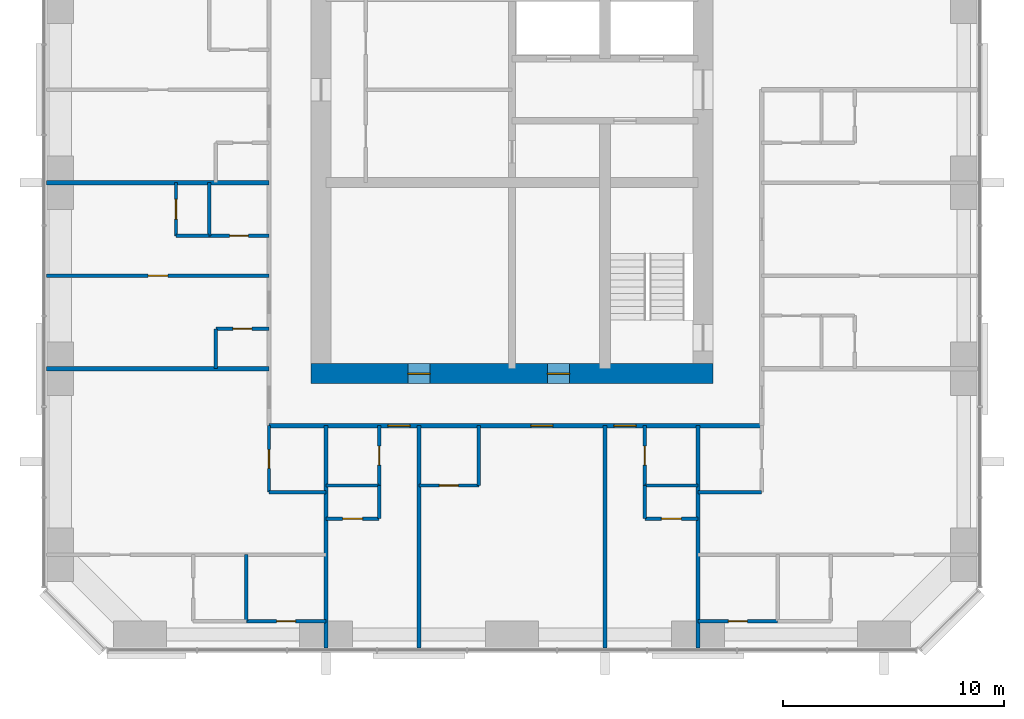
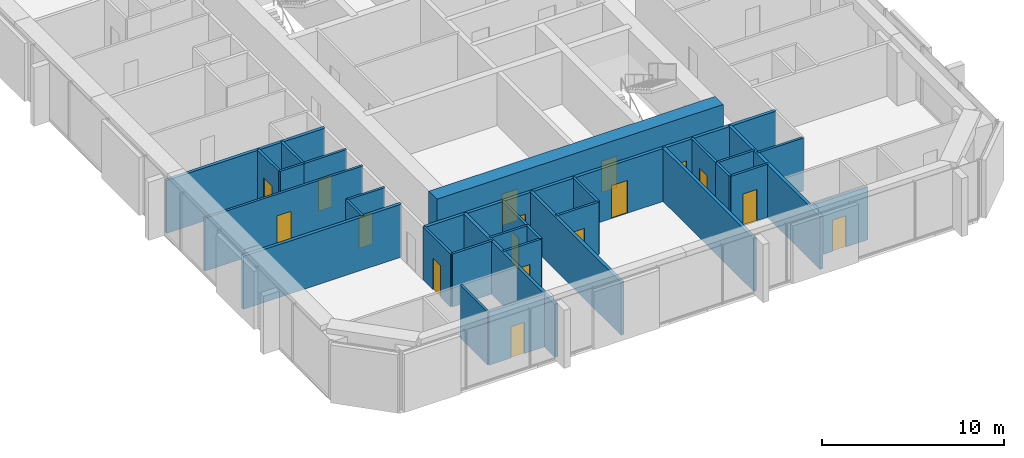
# One storey, part 7 of 12: 31 walls, 17 doors, 17 openings.
"""IFC4 building model written with IfcOpenShell, lengths in metres."""

from ifc_helpers import new_model, si_unit, direction, frame, frame_2d, origin, place, context, subcontext, project, spatial, rectangle, extrude, material, layer, layer_set, type_object, element, fill, save


model = new_model("IFC4")

# Units and contexts
model_context = context("Model", 3, precision=1e-05, world=origin(), true_north=direction((0.0, 1.0)))
body_context = subcontext(model_context, "Body", "Model", "MODEL_VIEW")
ifc_project = project(units=[si_unit("LENGTHUNIT", "METRE"), si_unit("AREAUNIT", "SQUARE_METRE"), si_unit("VOLUMEUNIT", "CUBIC_METRE"), si_unit("PLANEANGLEUNIT", "RADIAN"), si_unit("MASSUNIT", "GRAM", prefix="KILO")], contexts=[model_context])

# Site, building, storey
site_placement = place(None, origin())
site = spatial("IfcSite", under=ifc_project, at=site_placement, CompositionType="ELEMENT")
building_placement = place(site_placement, origin())
building = spatial("IfcBuilding", under=site, at=building_placement, Name="Dunama Terrace Hotel", CompositionType="ELEMENT")
storey_placement = place(building_placement, frame((0.0, 0.0, 233.39990234375)))
storey = spatial("IfcBuildingStorey", under=building, at=storey_placement, Name="L60", CompositionType="ELEMENT", Elevation=233.39990234375)

# Wall
ifc_material_1 = material(Name="Gypsum board partition", Category="masonry")
ifc_layer_1 = layer(ifc_material_1, 0.14990234375)
ifc_layer_set_1 = layer_set([ifc_layer_1], Name="Bathroom partition 150")
wall_type_1 = type_object("IfcWallType", Name="Bathroom partition 150", PredefinedType="PARTITIONING", material=ifc_layer_set_1)
wall_1_placement = place(storey_placement, frame((20.22509765625, 16.800048828125, 0.0), z_axis=(0.0, 0.0, 1.0), x_axis=(0.0, 1.0, 0.0)))
element("IfcWall", 1, at=wall_1_placement, inside=storey, type_object=wall_type_1, Name="Bathroom partition 150 L60", PredefinedType="PARTITIONING", context=body_context, shape_type="SweptSolid", body=[
    extrude(rectangle(XDim=1.800048828125, YDim=0.14990234375, at=frame_2d((0.89990234375, 0.0))), origin(), (0.0, 0.0, 1.0), 3.550048828125),
])

# Wall, opening, door
wall_2_placement = place(storey_placement, frame((22.625, 11.22509765625, 0.0), z_axis=(0.0, 0.0, 1.0), x_axis=(0.0, 1.0, 0.0)))
wall_2 = element("IfcWall", 2, at=wall_2_placement, inside=storey, type_object=wall_type_1, Name="Bathroom partition 150 L60", PredefinedType="PARTITIONING", context=body_context, shape_type="SweptSolid", body=[
    extrude(rectangle(XDim=3.0, YDim=0.14990234375, at=frame_2d((1.5, 0.0))), origin(), (0.0, 0.0, 1.0), 3.550048828125),
])
opening_1_placement = place(wall_2_placement, frame((1.074951171875, 0.0, 0.0)))
opening_1 = element("IfcOpeningElement", 3, at=opening_1_placement, cuts=wall_2, Name="Opening L60-047", PredefinedType="OPENING", context=body_context, shape_type="SweptSolid", body=[
    extrude(rectangle(XDim=0.85009765625, YDim=2.10009765625, at=frame_2d((0.425048828125, 1.050048828125))), frame((0.0, 0.0849609375, 0.0), z_axis=(0.0, -1.0, 0.0), x_axis=(1.0, 0.0, 0.0)), (0.0, 0.0, 1.0), 0.169921875),
])
ifc_material_2 = material(Name="Timber door with steel frame", Category="steel")
door_type_1 = type_object("IfcDoorType", Name="Bathroom door 850", OperationType="SINGLE_SWING_LEFT", PredefinedType="DOOR", material=ifc_material_2)
door_1_placement = place(opening_1_placement, frame((0.85009765625, 0.0, 0.0), z_axis=(0.0, 0.0, 1.0), x_axis=(-1.0, 0.0, 0.0)))
door_1 = element("IfcDoor", 4, at=door_1_placement, inside=storey, type_object=door_type_1, Name="Door to powder room L60-047, type D2", OperationType="SINGLE_SWING_LEFT", OverallHeight=2.10009765625, OverallWidth=0.85009765625, PredefinedType="DOOR", context=body_context, shape_type="SweptSolid", body=[
    extrude(rectangle(XDim=0.85009765625, YDim=2.10009765625, at=frame_2d((0.425048828125, 1.050048828125))), frame((0.0, 0.025146484375, 0.0), z_axis=(0.0, -1.0, 0.0), x_axis=(1.0, 0.0, 0.0)), (0.0, 0.0, 1.0), 0.050048828125),
])
fill(opening_1, door_1)

wall_3_placement = place(storey_placement, frame((27.60009765625, 11.52490234375, 0.0), z_axis=(0.0, 0.0, 1.0), x_axis=(0.0, 1.0, 0.0)))
wall_3 = element("IfcWall", 5, at=wall_3_placement, inside=storey, type_object=wall_type_1, Name="Bathroom partition 150 L60", PredefinedType="PARTITIONING", context=body_context, shape_type="SweptSolid", body=[
    extrude(rectangle(XDim=2.7001953125, YDim=0.14990234375, at=frame_2d((1.35009765625, 0.0))), origin(), (0.0, 0.0, 1.0), 3.550048828125),
])
opening_2_placement = place(wall_3_placement, frame((0.925048828125, 0.0, 0.0)))
opening_2 = element("IfcOpeningElement", 6, at=opening_2_placement, cuts=wall_3, Name="Opening L60-008", PredefinedType="OPENING", context=body_context, shape_type="SweptSolid", body=[
    extrude(rectangle(XDim=0.85009765625, YDim=2.10009765625, at=frame_2d((0.425048828125, 1.050048828125))), frame((0.0, 0.0849609375, 0.0), z_axis=(0.0, -1.0, 0.0), x_axis=(1.0, 0.0, 0.0)), (0.0, 0.0, 1.0), 0.169921875),
])
door_2_placement = place(opening_2_placement, origin())
door_2 = element("IfcDoor", 7, at=door_2_placement, inside=storey, type_object=door_type_1, Name="Door to en-suite bathroom L60-008, type D2", OperationType="SINGLE_SWING_RIGHT", OverallHeight=2.10009765625, OverallWidth=0.85009765625, PredefinedType="DOOR", context=body_context, shape_type="SweptSolid", body=[
    extrude(rectangle(XDim=0.85009765625, YDim=2.10009765625, at=frame_2d((0.425048828125, 1.050048828125))), frame((0.0, 0.02490234375, 0.0), z_axis=(0.0, -1.0, 0.0), x_axis=(1.0, 0.0, 0.0)), (0.0, 0.0, 1.0), 0.050048828125),
])
fill(opening_2, door_2)

# Wall
wall_4_placement = place(storey_placement, frame((32.10009765625, 11.52490234375, 0.0), z_axis=(0.0, 0.0, 1.0), x_axis=(0.0, 1.0, 0.0)))
element("IfcWall", 8, at=wall_4_placement, inside=storey, type_object=wall_type_1, Name="Bathroom partition 150 L60", PredefinedType="PARTITIONING", context=body_context, shape_type="SweptSolid", body=[
    extrude(rectangle(XDim=2.7001953125, YDim=0.14990234375, at=frame_2d((1.35009765625, 0.0))), origin(), (0.0, 0.0, 1.0), 3.550048828125),
])

# Wall, opening, door
wall_5_placement = place(storey_placement, frame((39.60009765625, 11.52490234375, 0.0), z_axis=(0.0, 0.0, 1.0), x_axis=(0.0, 1.0, 0.0)))
wall_5 = element("IfcWall", 9, at=wall_5_placement, inside=storey, type_object=wall_type_1, Name="Bathroom partition 150 L60", PredefinedType="PARTITIONING", context=body_context, shape_type="SweptSolid", body=[
    extrude(rectangle(XDim=2.7001953125, YDim=0.14990234375, at=frame_2d((1.35009765625, 0.0))), origin(), (0.0, 0.0, 1.0), 3.550048828125),
])
opening_3_placement = place(wall_5_placement, frame((0.925048828125, 0.0, 0.0)))
opening_3 = element("IfcOpeningElement", 10, at=opening_3_placement, cuts=wall_5, Name="Opening L60-013", PredefinedType="OPENING", context=body_context, shape_type="SweptSolid", body=[
    extrude(rectangle(XDim=0.85009765625, YDim=2.10009765625, at=frame_2d((0.425048828125, 1.050048828125))), frame((0.0, 0.0849609375, 0.0), z_axis=(0.0, -1.0, 0.0), x_axis=(1.0, 0.0, 0.0)), (0.0, 0.0, 1.0), 0.169921875),
])
door_3_placement = place(opening_3_placement, frame((0.85009765625, 0.0, 0.0), z_axis=(0.0, 0.0, 1.0), x_axis=(-1.0, 0.0, 0.0)))
door_3 = element("IfcDoor", 11, at=door_3_placement, inside=storey, type_object=door_type_1, Name="Door to en-suite bathroom L60-013, type D2", OperationType="SINGLE_SWING_LEFT", OverallHeight=2.10009765625, OverallWidth=0.85009765625, PredefinedType="DOOR", context=body_context, shape_type="SweptSolid", body=[
    extrude(rectangle(XDim=0.85009765625, YDim=2.10009765625, at=frame_2d((0.425048828125, 1.050048828125))), frame((0.0, 0.025146484375, 0.0), z_axis=(0.0, -1.0, 0.0), x_axis=(1.0, 0.0, 0.0)), (0.0, 0.0, 1.0), 0.050048828125),
])
fill(opening_3, door_3)

wall_6_placement = place(storey_placement, frame((21.60009765625, 5.39990234375, 0.0), z_axis=(0.0, 0.0, 1.0), x_axis=(1.0, 0.0, 0.0)))
wall_6 = element("IfcWall", 12, at=wall_6_placement, inside=storey, type_object=wall_type_1, Name="Bathroom partition 150 L60", PredefinedType="PARTITIONING", context=body_context, shape_type="SweptSolid", body=[
    extrude(rectangle(XDim=3.599853515625, YDim=0.14990234375, at=frame_2d((1.7998046875, 0.0))), origin(), (0.0, 0.0, 1.0), 3.550048828125),
])
opening_4_placement = place(wall_6_placement, frame((1.375, 0.0, 0.0)))
opening_4 = element("IfcOpeningElement", 13, at=opening_4_placement, cuts=wall_6, Name="Opening L60-049", PredefinedType="OPENING", context=body_context, shape_type="SweptSolid", body=[
    extrude(rectangle(XDim=0.85009765625, YDim=2.10009765625, at=frame_2d((0.425048828125, 1.050048828125))), frame((0.0, 0.0849609375, 0.0), z_axis=(0.0, -1.0, 0.0), x_axis=(1.0, 0.0, 0.0)), (0.0, 0.0, 1.0), 0.169921875),
])
door_4_placement = place(opening_4_placement, origin())
door_4 = element("IfcDoor", 14, at=door_4_placement, inside=storey, type_object=door_type_1, Name="Door to en-suite bathroom L60-049, type D2", OperationType="SINGLE_SWING_RIGHT", OverallHeight=2.10009765625, OverallWidth=0.85009765625, PredefinedType="DOOR", context=body_context, shape_type="SweptSolid", body=[
    extrude(rectangle(XDim=0.85009765625, YDim=2.10009765625, at=frame_2d((0.425048828125, 1.050048828125))), frame((0.0, 0.02490234375, 0.0), z_axis=(0.0, -1.0, 0.0), x_axis=(1.0, 0.0, 0.0)), (0.0, 0.0, 1.0), 0.050048828125),
])
fill(opening_4, door_4)

wall_7_placement = place(storey_placement, frame((42.0, 5.39990234375, 0.0), z_axis=(0.0, 0.0, 1.0), x_axis=(1.0, 0.0, 0.0)))
wall_7 = element("IfcWall", 15, at=wall_7_placement, inside=storey, type_object=wall_type_1, Name="Bathroom partition 150 L60", PredefinedType="PARTITIONING", context=body_context, shape_type="SweptSolid", body=[
    extrude(rectangle(XDim=3.60009765625, YDim=0.14990234375, at=frame_2d((1.800048828125, 0.0))), origin(), (0.0, 0.0, 1.0), 3.550048828125),
])
opening_5_placement = place(wall_7_placement, frame((1.375, 0.0, 0.0)))
opening_5 = element("IfcOpeningElement", 16, at=opening_5_placement, cuts=wall_7, Name="Opening L60-054", PredefinedType="OPENING", context=body_context, shape_type="SweptSolid", body=[
    extrude(rectangle(XDim=0.85009765625, YDim=2.10009765625, at=frame_2d((0.425048828125, 1.050048828125))), frame((0.0, 0.0849609375, 0.0), z_axis=(0.0, -1.0, 0.0), x_axis=(1.0, 0.0, 0.0)), (0.0, 0.0, 1.0), 0.169921875),
])
door_5_placement = place(opening_5_placement, origin())
door_5 = element("IfcDoor", 17, at=door_5_placement, inside=storey, type_object=door_type_1, Name="Door to en-suite bathroom L60-054, type D2", OperationType="SINGLE_SWING_LEFT", OverallHeight=2.10009765625, OverallWidth=0.85009765625, PredefinedType="DOOR", context=body_context, shape_type="SweptSolid", body=[
    extrude(rectangle(XDim=0.85009765625, YDim=2.10009765625, at=frame_2d((0.425048828125, 1.050048828125))), frame((0.0, 0.02490234375, 0.0), z_axis=(0.0, -1.0, 0.0), x_axis=(1.0, 0.0, 0.0)), (0.0, 0.0, 1.0), 0.050048828125),
])
fill(opening_5, door_5)

# Walls
wall_8_placement = place(storey_placement, frame((22.625, 11.22509765625, 0.0), z_axis=(0.0, 0.0, 1.0), x_axis=(1.0, 0.0, 0.0)))
element("IfcWall", 18, at=wall_8_placement, inside=storey, type_object=wall_type_1, Name="Bathroom partition 150 L60", PredefinedType="PARTITIONING", context=body_context, shape_type="SweptSolid", body=[
    extrude(rectangle(XDim=2.574951171875, YDim=0.14990234375, at=frame_2d((1.28759765625, 0.0))), origin(), (0.0, 0.0, 1.0), 3.550048828125),
])
wall_9_placement = place(storey_placement, frame((42.0, 11.22509765625, 0.0), z_axis=(0.0, 0.0, 1.0), x_axis=(1.0, 0.0, 0.0)))
element("IfcWall", 19, at=wall_9_placement, inside=storey, type_object=wall_type_1, Name="Bathroom partition 150 L60", PredefinedType="PARTITIONING", context=body_context, shape_type="SweptSolid", body=[
    extrude(rectangle(XDim=2.875, YDim=0.14990234375, at=frame_2d((1.4375, 0.0))), origin(), (0.0, 0.0, 1.0), 3.550048828125),
])

# Wall, opening, door
wall_10_placement = place(storey_placement, frame((29.39990234375, 11.52490234375, 0.0), z_axis=(0.0, 0.0, 1.0), x_axis=(1.0, 0.0, 0.0)))
wall_10 = element("IfcWall", 20, at=wall_10_placement, inside=storey, type_object=wall_type_1, Name="Bathroom partition 150 L60", PredefinedType="PARTITIONING", context=body_context, shape_type="SweptSolid", body=[
    extrude(rectangle(XDim=2.7001953125, YDim=0.14990234375, at=frame_2d((1.35009765625, 0.0))), origin(), (0.0, 0.0, 1.0), 3.550048828125),
])
opening_6_placement = place(wall_10_placement, frame((0.925048828125, 0.0, 0.0)))
opening_6 = element("IfcOpeningElement", 21, at=opening_6_placement, cuts=wall_10, Name="Opening L60-011", PredefinedType="OPENING", context=body_context, shape_type="SweptSolid", body=[
    extrude(rectangle(XDim=0.85009765625, YDim=2.10009765625, at=frame_2d((0.425048828125, 1.050048828125))), frame((0.0, 0.0849609375, 0.0), z_axis=(0.0, -1.0, 0.0), x_axis=(1.0, 0.0, 0.0)), (0.0, 0.0, 1.0), 0.169921875),
])
door_6_placement = place(opening_6_placement, origin())
door_6 = element("IfcDoor", 22, at=door_6_placement, inside=storey, type_object=door_type_1, Name="Door to en-suite bathroom L60-011, type D2", OperationType="SINGLE_SWING_LEFT", OverallHeight=2.10009765625, OverallWidth=0.85009765625, PredefinedType="DOOR", context=body_context, shape_type="SweptSolid", body=[
    extrude(rectangle(XDim=0.85009765625, YDim=2.10009765625, at=frame_2d((0.425048828125, 1.050048828125))), frame((0.0, 0.02490234375, 0.0), z_axis=(0.0, -1.0, 0.0), x_axis=(1.0, 0.0, 0.0)), (0.0, 0.0, 1.0), 0.050048828125),
])
fill(opening_6, door_6)

wall_11_placement = place(storey_placement, frame((20.22509765625, 18.60009765625, 0.0), z_axis=(0.0, 0.0, 1.0), x_axis=(1.0, 0.0, 0.0)))
wall_11 = element("IfcWall", 23, at=wall_11_placement, inside=storey, type_object=wall_type_1, Name="Bathroom partition 150 L60", PredefinedType="PARTITIONING", context=body_context, shape_type="SweptSolid", body=[
    extrude(rectangle(XDim=2.39990234375, YDim=0.14990234375, at=frame_2d((1.199951171875, 0.0))), origin(), (0.0, 0.0, 1.0), 3.550048828125),
])
opening_7_placement = place(wall_11_placement, frame((0.77490234375, 0.0, 0.0)))
opening_7 = element("IfcOpeningElement", 24, at=opening_7_placement, cuts=wall_11, Name="Opening L60-033", PredefinedType="OPENING", context=body_context, shape_type="SweptSolid", body=[
    extrude(rectangle(XDim=0.85009765625, YDim=2.10009765625, at=frame_2d((0.425048828125, 1.050048828125))), frame((0.0, 0.0849609375, 0.0), z_axis=(0.0, -1.0, 0.0), x_axis=(1.0, 0.0, 0.0)), (0.0, 0.0, 1.0), 0.169921875),
])
door_7_placement = place(opening_7_placement, frame((0.85009765625, 0.0, 0.0), z_axis=(0.0, 0.0, 1.0), x_axis=(-1.0, 0.0, 0.0)))
door_7 = element("IfcDoor", 25, at=door_7_placement, inside=storey, type_object=door_type_1, Name="Door to powder room L60-033, type D2", OperationType="SINGLE_SWING_LEFT", OverallHeight=2.10009765625, OverallWidth=0.85009765625, PredefinedType="DOOR", context=body_context, shape_type="SweptSolid", body=[
    extrude(rectangle(XDim=0.85009765625, YDim=2.10009765625, at=frame_2d((0.425048828125, 1.050048828125))), frame((0.0, 0.025146484375, 0.0), z_axis=(0.0, -1.0, 0.0), x_axis=(1.0, 0.0, 0.0)), (0.0, 0.0, 1.0), 0.050048828125),
])
fill(opening_7, door_7)

wall_12_placement = place(storey_placement, frame((19.925048828125, 22.800048828125, 0.0), z_axis=(0.0, 0.0, 1.0), x_axis=(1.0, 0.0, 0.0)))
wall_12 = element("IfcWall", 26, at=wall_12_placement, inside=storey, type_object=wall_type_1, Name="Bathroom partition 150 L60", PredefinedType="PARTITIONING", context=body_context, shape_type="SweptSolid", body=[
    extrude(rectangle(XDim=2.699951171875, YDim=0.14990234375, at=frame_2d((1.35009765625, 0.0))), origin(), (0.0, 0.0, 1.0), 3.550048828125),
])
opening_8_placement = place(wall_12_placement, frame((0.925048828125, 0.0, 0.0)))
opening_8 = element("IfcOpeningElement", 27, at=opening_8_placement, cuts=wall_12, Name="Opening L60-035", PredefinedType="OPENING", context=body_context, shape_type="SweptSolid", body=[
    extrude(rectangle(XDim=0.85009765625, YDim=2.10009765625, at=frame_2d((0.425048828125, 1.050048828125))), frame((0.0, 0.0849609375, 0.0), z_axis=(0.0, -1.0, 0.0), x_axis=(1.0, 0.0, 0.0)), (0.0, 0.0, 1.0), 0.169921875),
])
door_8_placement = place(opening_8_placement, origin())
door_8 = element("IfcDoor", 28, at=door_8_placement, inside=storey, type_object=door_type_1, Name="Door to en-suite bathroom L60-035, type D2", OperationType="SINGLE_SWING_RIGHT", OverallHeight=2.10009765625, OverallWidth=0.85009765625, PredefinedType="DOOR", context=body_context, shape_type="SweptSolid", body=[
    extrude(rectangle(XDim=0.85009765625, YDim=2.10009765625, at=frame_2d((0.425048828125, 1.050048828125))), frame((0.0, 0.02490234375, 0.0), z_axis=(0.0, -1.0, 0.0), x_axis=(1.0, 0.0, 0.0)), (0.0, 0.0, 1.0), 0.050048828125),
])
fill(opening_8, door_8)

# Wall, openings, doors
ifc_material_3 = material(Name="Concrete C60/75", Category="concrete")
ifc_layer_2 = layer(ifc_material_3, 0.89990234375)
ifc_layer_set_2 = layer_set([ifc_layer_2], Name="Core wall 900")
wall_type_2 = type_object("IfcWallType", Name="Core wall 900", PredefinedType="SHEAR", material=ifc_layer_set_2)
wall_13_placement = place(storey_placement, frame((24.52490234375, 16.574951171875, -0.349853515625), z_axis=(0.0, 0.0, 1.0), x_axis=(1.0, 0.0, 0.0)))
wall_13 = element("IfcWall", 29, at=wall_13_placement, inside=storey, type_object=wall_type_2, Name="Core wall south L60", PredefinedType="SHEAR", context=body_context, shape_type="SweptSolid", body=[
    extrude(rectangle(XDim=18.150146484375, YDim=0.89990234375, at=frame_2d((9.0751953125, 0.0))), origin(), (0.0, 0.0, 1.0), 3.89990234375),
])
opening_9_placement = place(wall_13_placement, frame((4.375, 0.0, 0.35009765625)))
opening_9 = element("IfcOpeningElement", 30, at=opening_9_placement, cuts=wall_13, Name="Opening L60-074", PredefinedType="OPENING", context=body_context, shape_type="SweptSolid", body=[
    extrude(rectangle(XDim=1.0, YDim=2.10009765625, at=frame_2d((0.5, 1.050048828125))), frame((0.0, 0.4599609375, 0.0), z_axis=(0.0, -1.0, 0.0), x_axis=(1.0, 0.0, 0.0)), (0.0, 0.0, 1.0), 0.919921875),
])
opening_10_placement = place(wall_13_placement, frame((10.675048828125, 0.0, 0.35009765625)))
opening_10 = element("IfcOpeningElement", 31, at=opening_10_placement, cuts=wall_13, Name="Opening L60-075", PredefinedType="OPENING", context=body_context, shape_type="SweptSolid", body=[
    extrude(rectangle(XDim=1.0, YDim=2.10009765625, at=frame_2d((0.5, 1.050048828125))), frame((0.0, 0.4599609375, 0.0), z_axis=(0.0, -1.0, 0.0), x_axis=(1.0, 0.0, 0.0)), (0.0, 0.0, 1.0), 0.919921875),
])
ifc_material_4 = material(Name="Timber door with steel frame", Category="steel")
door_type_2 = type_object("IfcDoorType", Name="Service door 1000", OperationType="SINGLE_SWING_LEFT", PredefinedType="DOOR", material=ifc_material_4)
door_9_placement = place(opening_9_placement, origin())
door_9 = element("IfcDoor", 32, at=door_9_placement, inside=storey, type_object=door_type_2, Name="Door to corridor air handling room L60-074, type D7", OperationType="SINGLE_SWING_LEFT", OverallHeight=2.10009765625, OverallWidth=1.0, PredefinedType="DOOR", context=body_context, shape_type="SweptSolid", body=[
    extrude(rectangle(XDim=1.0, YDim=2.10009765625, at=frame_2d((0.5, 1.050048828125))), frame((0.0, 0.02490234375, 0.0), z_axis=(0.0, -1.0, 0.0), x_axis=(1.0, 0.0, 0.0)), (0.0, 0.0, 1.0), 0.050048828125),
])
fill(opening_9, door_9)
door_10_placement = place(opening_10_placement, origin())
door_10 = element("IfcDoor", 33, at=door_10_placement, inside=storey, type_object=door_type_2, Name="Door to water riser room L60-075, type D7", OperationType="SINGLE_SWING_RIGHT", OverallHeight=2.10009765625, OverallWidth=1.0, PredefinedType="DOOR", context=body_context, shape_type="SweptSolid", body=[
    extrude(rectangle(XDim=1.0, YDim=2.10009765625, at=frame_2d((0.5, 1.050048828125))), frame((0.0, 0.02490234375, 0.0), z_axis=(0.0, -1.0, 0.0), x_axis=(1.0, 0.0, 0.0)), (0.0, 0.0, 1.0), 0.050048828125),
])
fill(opening_10, door_10)

ifc_material_5 = material(Name="Concrete blockwork", Category="masonry")
ifc_layer_3 = layer(ifc_material_5, 0.199951171875)
ifc_layer_set_3 = layer_set([ifc_layer_3], Name="Corridor partition 200")
wall_type_3 = type_object("IfcWallType", Name="Corridor partition 200", PredefinedType="PARTITIONING", material=ifc_layer_set_3)
wall_14_placement = place(storey_placement, frame((44.875, 14.22509765625, 0.0), z_axis=(0.0, 0.0, 1.0), x_axis=(-1.0, 0.0, 0.0)))
wall_14 = element("IfcWall", 34, at=wall_14_placement, inside=storey, type_object=wall_type_3, Name="Corridor partition 200 L60", PredefinedType="PARTITIONING", context=body_context, shape_type="SweptSolid", body=[
    extrude(rectangle(XDim=22.25, YDim=0.199951171875, at=frame_2d((11.125, 0.0))), origin(), (0.0, 0.0, 1.0), 3.550048828125),
])
opening_11_placement = place(wall_14_placement, frame((15.875, 0.0, 0.0)))
opening_11 = element("IfcOpeningElement", 35, at=opening_11_placement, cuts=wall_14, Name="Opening L60-007", PredefinedType="OPENING", context=body_context, shape_type="SweptSolid", body=[
    extrude(rectangle(XDim=1.0, YDim=2.199951171875, at=frame_2d((0.5, 1.10009765625))), frame((0.0, 0.10986328125, 0.0), z_axis=(0.0, -1.0, 0.0), x_axis=(1.0, 0.0, 0.0)), (0.0, 0.0, 1.0), 0.219970703125),
])
opening_12_placement = place(wall_14_placement, frame((9.425048828125, 0.0, 0.0)))
opening_12 = element("IfcOpeningElement", 36, at=opening_12_placement, cuts=wall_14, Name="Opening L60-010", PredefinedType="OPENING", context=body_context, shape_type="SweptSolid", body=[
    extrude(rectangle(XDim=1.0, YDim=2.199951171875, at=frame_2d((0.5, 1.10009765625))), frame((0.0, 0.10986328125, 0.0), z_axis=(0.0, -1.0, 0.0), x_axis=(1.0, 0.0, 0.0)), (0.0, 0.0, 1.0), 0.219970703125),
])
opening_13_placement = place(wall_14_placement, frame((5.675048828125, 0.0, 0.0)))
opening_13 = element("IfcOpeningElement", 37, at=opening_13_placement, cuts=wall_14, Name="Opening L60-012", PredefinedType="OPENING", context=body_context, shape_type="SweptSolid", body=[
    extrude(rectangle(XDim=1.0, YDim=2.199951171875, at=frame_2d((0.5, 1.10009765625))), frame((0.0, 0.10986328125, 0.0), z_axis=(0.0, -1.0, 0.0), x_axis=(1.0, 0.0, 0.0)), (0.0, 0.0, 1.0), 0.219970703125),
])
ifc_material_6 = material(Name="Timber door with steel frame", Category="steel")
door_type_3 = type_object("IfcDoorType", Name="Guest room door 1000", OperationType="SINGLE_SWING_LEFT", PredefinedType="DOOR", material=ifc_material_6)
door_11_placement = place(opening_11_placement, origin())
door_11 = element("IfcDoor", 38, at=door_11_placement, inside=storey, type_object=door_type_3, Name="Door to studio suite L60-007, type D1", OperationType="SINGLE_SWING_LEFT", OverallHeight=2.199951171875, OverallWidth=1.0, PredefinedType="DOOR", context=body_context, shape_type="SweptSolid", body=[
    extrude(rectangle(XDim=1.0, YDim=2.199951171875, at=frame_2d((0.5, 1.10009765625))), frame((0.0, 0.02490234375, 0.0), z_axis=(0.0, -1.0, 0.0), x_axis=(1.0, 0.0, 0.0)), (0.0, 0.0, 1.0), 0.050048828125),
])
fill(opening_11, door_11)
door_12_placement = place(opening_12_placement, origin())
door_12 = element("IfcDoor", 39, at=door_12_placement, inside=storey, type_object=door_type_3, Name="Door to junior suite L60-010, type D1", OperationType="SINGLE_SWING_LEFT", OverallHeight=2.199951171875, OverallWidth=1.0, PredefinedType="DOOR", context=body_context, shape_type="SweptSolid", body=[
    extrude(rectangle(XDim=1.0, YDim=2.199951171875, at=frame_2d((0.5, 1.10009765625))), frame((0.0, 0.02490234375, 0.0), z_axis=(0.0, -1.0, 0.0), x_axis=(1.0, 0.0, 0.0)), (0.0, 0.0, 1.0), 0.050048828125),
])
fill(opening_12, door_12)
door_13_placement = place(opening_13_placement, origin())
door_13 = element("IfcDoor", 40, at=door_13_placement, inside=storey, type_object=door_type_3, Name="Door to studio suite L60-012, type D1", OperationType="SINGLE_SWING_RIGHT", OverallHeight=2.199951171875, OverallWidth=1.0, PredefinedType="DOOR", context=body_context, shape_type="SweptSolid", body=[
    extrude(rectangle(XDim=1.0, YDim=2.199951171875, at=frame_2d((0.5, 1.10009765625))), frame((0.0, 0.02490234375, 0.0), z_axis=(0.0, -1.0, 0.0), x_axis=(1.0, 0.0, 0.0)), (0.0, 0.0, 1.0), 0.050048828125),
])
fill(opening_13, door_13)

# Walls
ifc_material_7 = material(Name="Concrete blockwork", Category="masonry")
ifc_layer_4 = layer(ifc_material_7, 0.199951171875)
ifc_layer_set_4 = layer_set([ifc_layer_4], Name="Party wall 200")
wall_type_4 = type_object("IfcWallType", Name="Party wall 200", PredefinedType="PARTITIONING", material=ifc_layer_set_4)
for number, where, z_axis, x_axis, name in (
    (41, (25.199951171875, 4.181884765625, 0.0), (0.0, 0.0, 1.0), (0.0, 1.0, 0.0), "Party wall 200 L60"),
    (42, (29.39990234375, 4.181884765625, 0.0), (0.0, 0.0, 1.0), (0.0, 1.0, 0.0), "Party wall 200 L60"),
    (43, (37.800048828125, 4.181884765625, 0.0), (0.0, 0.0, 1.0), (0.0, 1.0, 0.0), "Party wall 200 L60"),
    (44, (42.0, 4.181884765625, 0.0), (0.0, 0.0, 1.0), (0.0, 1.0, 0.0), "Party wall 200 L60"),
):
    element("IfcWall", number, at=place(storey_placement, frame(where, z_axis=z_axis, x_axis=x_axis)), inside=storey, type_object=wall_type_4, Name=name, PredefinedType="PARTITIONING", context=body_context, shape_type="SweptSolid", body=[
        extrude(rectangle(XDim=10.043212890625, YDim=0.199951171875, at=frame_2d((5.021484375, 0.0))), origin(), (0.0, 0.0, 1.0), 3.550048828125),
    ])
for number, where, z_axis, x_axis, name in (
    (45, (12.58203125, 16.800048828125, 0.0), (0.0, 0.0, 1.0), (1.0, 0.0, 0.0), "Party wall 200 L60"),
    (46, (12.58203125, 25.199951171875, 0.0), (0.0, 0.0, 1.0), (1.0, 0.0, 0.0), "Party wall 200 L60"),
):
    element("IfcWall", number, at=place(storey_placement, frame(where, z_axis=z_axis, x_axis=x_axis)), inside=storey, type_object=wall_type_4, Name=name, PredefinedType="PARTITIONING", context=body_context, shape_type="SweptSolid", body=[
        extrude(rectangle(XDim=10.04296875, YDim=0.199951171875, at=frame_2d((5.021484375, 0.0))), origin(), (0.0, 0.0, 1.0), 3.550048828125),
    ])

# Wall, opening, door
ifc_material_8 = material(Name="Gypsum board partition", Category="masonry")
ifc_layer_5 = layer(ifc_material_8, 0.14990234375)
ifc_layer_set_5 = layer_set([ifc_layer_5], Name="Room partition 150")
wall_type_5 = type_object("IfcWallType", Name="Room partition 150", PredefinedType="PARTITIONING", material=ifc_layer_set_5)
wall_15_placement = place(storey_placement, frame((18.425048828125, 22.800048828125, 0.0), z_axis=(0.0, 0.0, 1.0), x_axis=(0.0, 1.0, 0.0)))
wall_15 = element("IfcWall", 47, at=wall_15_placement, inside=storey, type_object=wall_type_5, Name="Room partition 150 L60", PredefinedType="PARTITIONING", context=body_context, shape_type="SweptSolid", body=[
    extrude(rectangle(XDim=2.39990234375, YDim=0.14990234375, at=frame_2d((1.199951171875, 0.0))), origin(), (0.0, 0.0, 1.0), 3.550048828125),
])
opening_14_placement = place(wall_15_placement, frame((0.75, 0.0, 0.0)))
opening_14 = element("IfcOpeningElement", 48, at=opening_14_placement, cuts=wall_15, Name="Opening L60-036", PredefinedType="OPENING", context=body_context, shape_type="SweptSolid", body=[
    extrude(rectangle(XDim=0.89990234375, YDim=2.10009765625, at=frame_2d((0.449951171875, 1.050048828125))), frame((0.0, 0.0849609375, 0.0), z_axis=(0.0, -1.0, 0.0), x_axis=(1.0, 0.0, 0.0)), (0.0, 0.0, 1.0), 0.169921875),
])
ifc_material_9 = material(Name="Timber door with steel frame", Category="steel")
door_type_4 = type_object("IfcDoorType", Name="Suite internal door 900", OperationType="SINGLE_SWING_LEFT", PredefinedType="DOOR", material=ifc_material_9)
door_14_placement = place(opening_14_placement, frame((0.89990234375, 0.0, 0.0), z_axis=(0.0, 0.0, 1.0), x_axis=(-1.0, 0.0, 0.0)))
door_14 = element("IfcDoor", 49, at=door_14_placement, inside=storey, type_object=door_type_4, Name="Door to walk-in wardrobe L60-036, type D16", OperationType="SINGLE_SWING_RIGHT", OverallHeight=2.10009765625, OverallWidth=0.89990234375, PredefinedType="DOOR", context=body_context, shape_type="SweptSolid", body=[
    extrude(rectangle(XDim=0.89990234375, YDim=2.10009765625, at=frame_2d((0.449951171875, 1.050048828125))), frame((0.0, 0.025146484375, 0.0), z_axis=(0.0, -1.0, 0.0), x_axis=(1.0, 0.0, 0.0)), (0.0, 0.0, 1.0), 0.050048828125),
])
fill(opening_14, door_14)

# Walls
wall_16_placement = place(storey_placement, frame((19.925048828125, 22.800048828125, 0.0), z_axis=(0.0, 0.0, 1.0), x_axis=(0.0, 1.0, 0.0)))
element("IfcWall", 50, at=wall_16_placement, inside=storey, type_object=wall_type_5, Name="Room partition 150 L60", PredefinedType="PARTITIONING", context=body_context, shape_type="SweptSolid", body=[
    extrude(rectangle(XDim=2.39990234375, YDim=0.14990234375, at=frame_2d((1.199951171875, 0.0))), origin(), (0.0, 0.0, 1.0), 3.550048828125),
])
wall_17_placement = place(storey_placement, frame((21.60009765625, 5.39990234375, 0.0), z_axis=(0.0, 0.0, 1.0), x_axis=(0.0, 1.0, 0.0)))
element("IfcWall", 51, at=wall_17_placement, inside=storey, type_object=wall_type_5, Name="Room partition 150 L60", PredefinedType="PARTITIONING", context=body_context, shape_type="SweptSolid", body=[
    extrude(rectangle(XDim=3.0, YDim=0.14990234375, at=frame_2d((1.5, 0.0))), origin(), (0.0, 0.0, 1.0), 3.550048828125),
])
for number, where, z_axis, x_axis, name in (
    (52, (27.60009765625, 10.02490234375, 0.0), (0.0, 0.0, 1.0), (0.0, 1.0, 0.0), "Room partition 150 L60"),
    (53, (39.60009765625, 10.02490234375, 0.0), (0.0, 0.0, 1.0), (0.0, 1.0, 0.0), "Room partition 150 L60"),
):
    element("IfcWall", number, at=place(storey_placement, frame(where, z_axis=z_axis, x_axis=x_axis)), inside=storey, type_object=wall_type_5, Name=name, PredefinedType="PARTITIONING", context=body_context, shape_type="SweptSolid", body=[
        extrude(rectangle(XDim=1.5, YDim=0.14990234375, at=frame_2d((0.75, 0.0))), origin(), (0.0, 0.0, 1.0), 3.550048828125),
    ])

# Wall, opening, door
wall_18_placement = place(storey_placement, frame((25.199951171875, 10.02490234375, 0.0), z_axis=(0.0, 0.0, 1.0), x_axis=(1.0, 0.0, 0.0)))
wall_18 = element("IfcWall", 54, at=wall_18_placement, inside=storey, type_object=wall_type_5, Name="Room partition 150 L60", PredefinedType="PARTITIONING", context=body_context, shape_type="SweptSolid", body=[
    extrude(rectangle(XDim=2.400146484375, YDim=0.14990234375, at=frame_2d((1.2001953125, 0.0))), origin(), (0.0, 0.0, 1.0), 3.550048828125),
])
opening_15_placement = place(wall_18_placement, frame((0.75, 0.0, 0.0)))
opening_15 = element("IfcOpeningElement", 55, at=opening_15_placement, cuts=wall_18, Name="Opening L60-009", PredefinedType="OPENING", context=body_context, shape_type="SweptSolid", body=[
    extrude(rectangle(XDim=0.89990234375, YDim=2.10009765625, at=frame_2d((0.449951171875, 1.050048828125))), frame((0.0, 0.0849609375, 0.0), z_axis=(0.0, -1.0, 0.0), x_axis=(1.0, 0.0, 0.0)), (0.0, 0.0, 1.0), 0.169921875),
])
door_15_placement = place(opening_15_placement, origin())
door_15 = element("IfcDoor", 56, at=door_15_placement, inside=storey, type_object=door_type_4, Name="Door to walk-in wardrobe L60-009, type D16", OperationType="SINGLE_SWING_LEFT", OverallHeight=2.10009765625, OverallWidth=0.89990234375, PredefinedType="DOOR", context=body_context, shape_type="SweptSolid", body=[
    extrude(rectangle(XDim=0.89990234375, YDim=2.10009765625, at=frame_2d((0.449951171875, 1.050048828125))), frame((0.0, 0.02490234375, 0.0), z_axis=(0.0, -1.0, 0.0), x_axis=(1.0, 0.0, 0.0)), (0.0, 0.0, 1.0), 0.050048828125),
])
fill(opening_15, door_15)

wall_19_placement = place(storey_placement, frame((39.60009765625, 10.02490234375, 0.0), z_axis=(0.0, 0.0, 1.0), x_axis=(1.0, 0.0, 0.0)))
wall_19 = element("IfcWall", 57, at=wall_19_placement, inside=storey, type_object=wall_type_5, Name="Room partition 150 L60", PredefinedType="PARTITIONING", context=body_context, shape_type="SweptSolid", body=[
    extrude(rectangle(XDim=2.39990234375, YDim=0.14990234375, at=frame_2d((1.199951171875, 0.0))), origin(), (0.0, 0.0, 1.0), 3.550048828125),
])
opening_16_placement = place(wall_19_placement, frame((0.75, 0.0, 0.0)))
opening_16 = element("IfcOpeningElement", 58, at=opening_16_placement, cuts=wall_19, Name="Opening L60-014", PredefinedType="OPENING", context=body_context, shape_type="SweptSolid", body=[
    extrude(rectangle(XDim=0.89990234375, YDim=2.10009765625, at=frame_2d((0.449951171875, 1.050048828125))), frame((0.0, 0.0849609375, 0.0), z_axis=(0.0, -1.0, 0.0), x_axis=(1.0, 0.0, 0.0)), (0.0, 0.0, 1.0), 0.169921875),
])
door_16_placement = place(opening_16_placement, origin())
door_16 = element("IfcDoor", 59, at=door_16_placement, inside=storey, type_object=door_type_4, Name="Door to walk-in wardrobe L60-014, type D16", OperationType="SINGLE_SWING_LEFT", OverallHeight=2.10009765625, OverallWidth=0.89990234375, PredefinedType="DOOR", context=body_context, shape_type="SweptSolid", body=[
    extrude(rectangle(XDim=0.89990234375, YDim=2.10009765625, at=frame_2d((0.449951171875, 1.050048828125))), frame((0.0, 0.02490234375, 0.0), z_axis=(0.0, -1.0, 0.0), x_axis=(1.0, 0.0, 0.0)), (0.0, 0.0, 1.0), 0.050048828125),
])
fill(opening_16, door_16)

# Walls
wall_20_placement = place(storey_placement, frame((25.199951171875, 11.52490234375, 0.0), z_axis=(0.0, 0.0, 1.0), x_axis=(1.0, 0.0, 0.0)))
element("IfcWall", 60, at=wall_20_placement, inside=storey, type_object=wall_type_5, Name="Room partition 150 L60", PredefinedType="PARTITIONING", context=body_context, shape_type="SweptSolid", body=[
    extrude(rectangle(XDim=2.400146484375, YDim=0.14990234375, at=frame_2d((1.2001953125, 0.0))), origin(), (0.0, 0.0, 1.0), 3.550048828125),
])
wall_21_placement = place(storey_placement, frame((39.60009765625, 11.52490234375, 0.0), z_axis=(0.0, 0.0, 1.0), x_axis=(1.0, 0.0, 0.0)))
element("IfcWall", 61, at=wall_21_placement, inside=storey, type_object=wall_type_5, Name="Room partition 150 L60", PredefinedType="PARTITIONING", context=body_context, shape_type="SweptSolid", body=[
    extrude(rectangle(XDim=2.39990234375, YDim=0.14990234375, at=frame_2d((1.199951171875, 0.0))), origin(), (0.0, 0.0, 1.0), 3.550048828125),
])

# Wall, opening, door
wall_22_placement = place(storey_placement, frame((12.58203125, 21.0, 0.0), z_axis=(0.0, 0.0, 1.0), x_axis=(1.0, 0.0, 0.0)))
wall_22 = element("IfcWall", 62, at=wall_22_placement, inside=storey, type_object=wall_type_5, Name="Room partition 150 L60", PredefinedType="PARTITIONING", context=body_context, shape_type="SweptSolid", body=[
    extrude(rectangle(XDim=10.04296875, YDim=0.14990234375, at=frame_2d((5.021484375, 0.0))), origin(), (0.0, 0.0, 1.0), 3.550048828125),
])
opening_17_placement = place(wall_22_placement, frame((4.5810546875, 0.0, 0.0)))
opening_17 = element("IfcOpeningElement", 63, at=opening_17_placement, cuts=wall_22, Name="Opening L60-034", PredefinedType="OPENING", context=body_context, shape_type="SweptSolid", body=[
    extrude(rectangle(XDim=0.89990234375, YDim=2.10009765625, at=frame_2d((0.449951171875, 1.050048828125))), frame((0.0, 0.0849609375, 0.0), z_axis=(0.0, -1.0, 0.0), x_axis=(1.0, 0.0, 0.0)), (0.0, 0.0, 1.0), 0.169921875),
])
door_17_placement = place(opening_17_placement, origin())
door_17 = element("IfcDoor", 64, at=door_17_placement, inside=storey, type_object=door_type_4, Name="Door to one-bedroom suite bedroom L60-034, type D16", OperationType="SINGLE_SWING_RIGHT", OverallHeight=2.10009765625, OverallWidth=0.89990234375, PredefinedType="DOOR", context=body_context, shape_type="SweptSolid", body=[
    extrude(rectangle(XDim=0.89990234375, YDim=2.10009765625, at=frame_2d((0.449951171875, 1.050048828125))), frame((0.0, 0.02490234375, 0.0), z_axis=(0.0, -1.0, 0.0), x_axis=(1.0, 0.0, 0.0)), (0.0, 0.0, 1.0), 0.050048828125),
])
fill(opening_17, door_17)

# Wall
wall_23_placement = place(storey_placement, frame((18.425048828125, 22.800048828125, 0.0), z_axis=(0.0, 0.0, 1.0), x_axis=(1.0, 0.0, 0.0)))
element("IfcWall", 65, at=wall_23_placement, inside=storey, type_object=wall_type_5, Name="Room partition 150 L60", PredefinedType="PARTITIONING", context=body_context, shape_type="SweptSolid", body=[
    extrude(rectangle(XDim=1.5, YDim=0.14990234375, at=frame_2d((0.75, 0.0))), origin(), (0.0, 0.0, 1.0), 3.550048828125),
])

save(model, "model.ifc")
